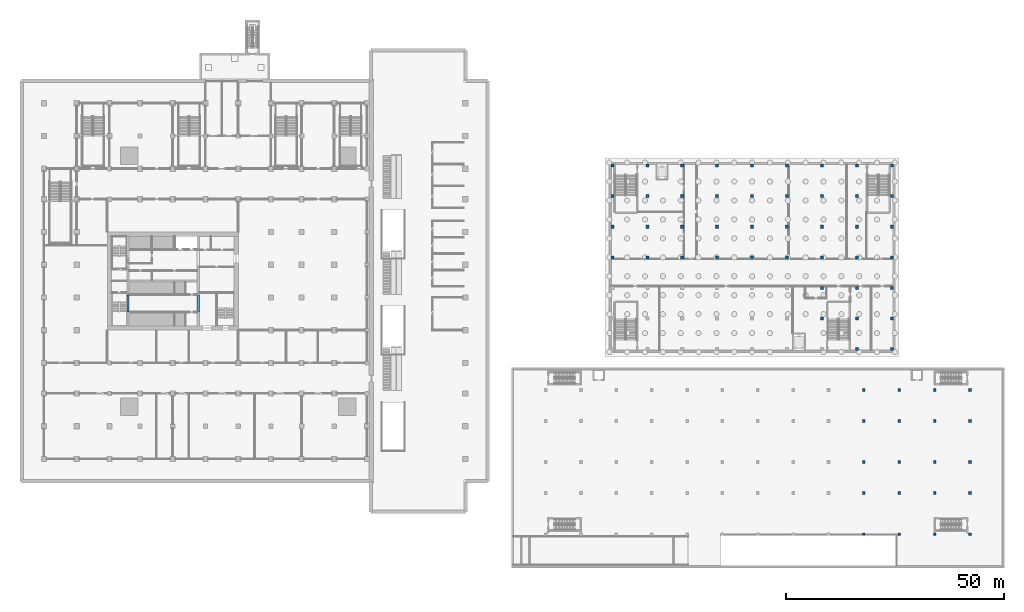
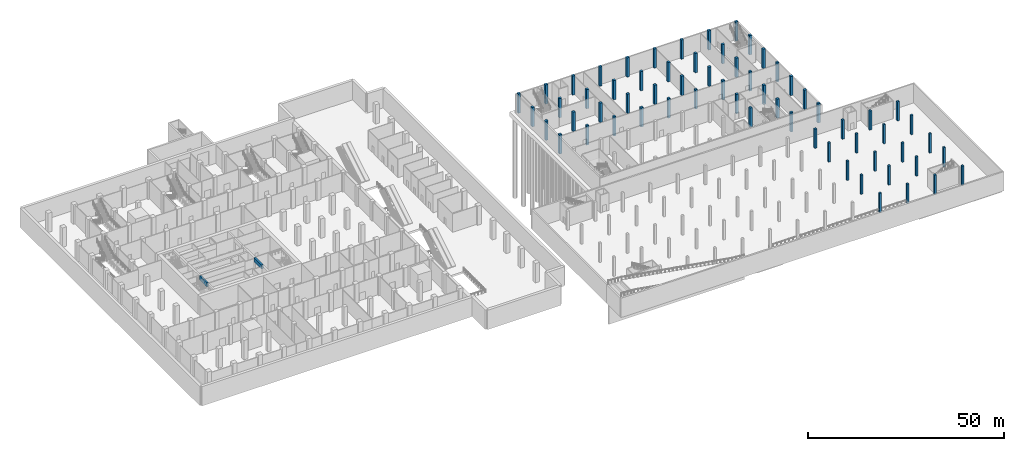
# One storey, part 3 of 45: 64 columns, 2 beams.
"""IFC4 building model written with IfcOpenShell, lengths in metres."""

import ifcopenshell
import ifcopenshell.guid

model = None  # the IFC model being written
_history = None  # IfcOwnerHistory: only IFC2X3 demands one
_inside = {}  # id of a spatial element -> (the spatial element, [elements in it])
_under = {}  # id of a project, library or spatial element -> (it, [spatial elements below it])
_declared = {}  # id of a project -> (the project, [libraries it declares])
_typed = {}  # id of a type object -> (the type object, [elements of that type])
_made_of = {}  # id of a material, layer set ... -> (it, [elements and type objects made of it])


def new_model(schema):
    """Start an empty IFC model of exactly this schema.

    Asked for "IFC4X3", IfcOpenShell would pick the latest addendum, in which some entities
    have other attributes; the version numbers below select the first issue.
    IFC2X3 requires an IfcOwnerHistory on every rooted entity: one is made here for all.
    """
    global model, _history
    if schema == "IFC4X3":
        model = ifcopenshell.file(schema_version=(4, 3, 0, 0))
    else:
        model = ifcopenshell.file(schema=schema)
    _inside.clear()
    _under.clear()
    _declared.clear()
    _typed.clear()
    _made_of.clear()
    _history = None
    if model.schema == "IFC2X3":
        org = make("IfcOrganization", Name="unknown")
        user = make(
            "IfcPersonAndOrganization",
            ThePerson=make("IfcPerson", FamilyName="unknown"),
            TheOrganization=org,
        )
        app = make(
            "IfcApplication",
            ApplicationDeveloper=org,
            Version="unknown",
            ApplicationFullName="unknown",
            ApplicationIdentifier="unknown",
        )
        _history = make(
            "IfcOwnerHistory",
            OwningUser=user,
            OwningApplication=app,
            ChangeAction="ADDED",
            CreationDate=0,
        )
    return model


def make(cls, **values):
    """One entity of the class cls with the attributes given. An attribute that is None is left unset."""
    return model.create_entity(
        cls, **{name: value for name, value in values.items() if value is not None}
    )


def rooted(cls, **values):
    """An entity with a GlobalId (a new one), such as an element, a storey or a relation."""
    return make(cls, GlobalId=ifcopenshell.guid.new(), OwnerHistory=_history, **values)


def si_unit(unit_type, name, prefix=None):
    """IfcSIUnit, for example si_unit("LENGTHUNIT", "METRE", prefix="MILLI")."""
    return make("IfcSIUnit", UnitType=unit_type, Prefix=prefix, Name=name)


def assignment(units):
    """IfcUnitAssignment: the units of a project."""
    return None if units is None else make("IfcUnitAssignment", Units=units)


def point(xyz):
    """IfcCartesianPoint."""
    return None if xyz is None else make("IfcCartesianPoint", Coordinates=xyz)


def direction(xyz):
    """IfcDirection."""
    return None if xyz is None else make("IfcDirection", DirectionRatios=xyz)


def frame(location, z_axis=None, x_axis=None):
    """IfcAxis2Placement3D, a coordinate frame: its origin and axes. An axis left out is left unset."""
    return make(
        "IfcAxis2Placement3D",
        Location=point(location),
        Axis=direction(z_axis),
        RefDirection=direction(x_axis),
    )


def frame_2d(location, x_axis=None):
    """IfcAxis2Placement2D, a coordinate frame in the plane: its origin and x axis."""
    return make(
        "IfcAxis2Placement2D", Location=point(location), RefDirection=direction(x_axis)
    )


def origin():
    """The frame at (0, 0, 0) with its axes left unset."""
    return frame((0.0, 0.0, 0.0))


def origin_2d():
    """The frame at (0, 0) in the plane with its x axis left unset."""
    return frame_2d((0.0, 0.0))


def place(relative_to, where):
    """IfcLocalPlacement: puts the frame where relative to a parent placement (None: the world)."""
    return make(
        "IfcLocalPlacement", PlacementRelTo=relative_to, RelativePlacement=where
    )


def context(
    kind, dimensions, precision=None, world=None, true_north=None, identifier=None
):
    """IfcGeometricRepresentationContext, for example the 3D "Model" context."""
    return make(
        "IfcGeometricRepresentationContext",
        ContextIdentifier=identifier,
        ContextType=kind,
        CoordinateSpaceDimension=dimensions,
        Precision=precision,
        WorldCoordinateSystem=world,
        TrueNorth=true_north,
    )


def subcontext(parent, identifier, kind, view, scale=None):
    """IfcGeometricRepresentationSubContext, for example "Body" below "Model"."""
    return make(
        "IfcGeometricRepresentationSubContext",
        ContextIdentifier=identifier,
        ContextType=kind,
        ParentContext=parent,
        TargetScale=scale,
        TargetView=view,
    )


def project(units=None, contexts=None):
    """IfcProject with its units and contexts."""
    return rooted(
        "IfcProject",
        Name="project",
        RepresentationContexts=contexts,
        UnitsInContext=assignment(units),
    )


def spatial(cls, under=None, at=None, **own):
    """A site, building, storey or space (cls), placed at a placement, below another one or the project."""
    s = rooted(cls, ObjectPlacement=at, **own)
    if under is not None:
        _under.setdefault(under.id(), (under, []))[1].append(s)
    return s


def profile(cls, at=None, kind="AREA", **sizes):
    """A parametric profile (cls). Its sizes go by their IFC names, for example OverallWidth=200.0."""
    return make(cls, ProfileType=kind, Position=at, **sizes)


def rectangle(**sizes):
    """IfcRectangleProfileDef."""
    return profile("IfcRectangleProfileDef", **sizes)


def extrude(swept, where, along, depth):
    """IfcExtrudedAreaSolid: the profile swept, set in the frame where, extruded along a direction by depth."""
    return make(
        "IfcExtrudedAreaSolid",
        SweptArea=swept,
        Position=where,
        ExtrudedDirection=direction(along),
        Depth=depth,
    )


def shape(context_of_items, identifier, shape_type, items):
    """IfcShapeRepresentation: the items that make up one representation, for example the "Body"."""
    return make(
        "IfcShapeRepresentation",
        ContextOfItems=context_of_items,
        RepresentationIdentifier=identifier,
        RepresentationType=shape_type,
        Items=items,
    )


def material(Name=None, Category=None):
    """IfcMaterial."""
    return make("IfcMaterial", Name=Name, Category=Category)


def material_profile(
    of_material, cross_section, Name=None, Category=None, Priority=None
):
    """IfcMaterialProfile: a cross section and its material."""
    return make(
        "IfcMaterialProfile",
        Name=Name,
        Material=of_material,
        Profile=cross_section,
        Priority=Priority,
        Category=Category,
    )


def profile_set(profiles, Name=None, composite=None):
    """IfcMaterialProfileSet."""
    return make(
        "IfcMaterialProfileSet",
        Name=Name,
        MaterialProfiles=profiles,
        CompositeProfile=composite,
    )


def made_of(thing, what):
    """Note that an element or type object is made of a material, layer set ...; save() writes the relation."""
    if what is not None:
        _made_of.setdefault(what.id(), (what, []))[1].append(thing)
    return thing


def type_object(cls, material=None, **own):
    """A type object (cls), such as IfcWallType, which elements share."""
    return made_of(rooted(cls, **own), material)


def element(
    cls,
    number,
    at=None,
    inside=None,
    cuts=None,
    type_object=None,
    material=None,
    context=None,
    identifier="Body",
    shape_type=None,
    held_by="IfcProductDefinitionShape",
    body=None,
    shapes=None,
    **own,
):
    """One element of the class cls, such as IfcWall. Its Tag is "e" and its number.

    at: its placement. inside: the storey or other place that contains it. cuts: it is an
    opening in that element (IfcRelVoidsElement). A single representation is given by context,
    identifier, shape_type and body (its items); several are given by shapes. held_by: the class
    of the entity that holds the representations. save() writes the other relations.
    """
    e = rooted(cls, Tag="e%d" % number, ObjectPlacement=at, **own)
    if body is not None:
        shapes = [shape(context, identifier, shape_type, body)]
    if shapes is not None:
        e.Representation = make(held_by, Representations=shapes)
    if inside is not None:
        _inside.setdefault(inside.id(), (inside, []))[1].append(e)
    if cuts is not None:
        rooted(
            "IfcRelVoidsElement", RelatingBuildingElement=cuts, RelatedOpeningElement=e
        )
    if type_object is not None:
        _typed.setdefault(type_object.id(), (type_object, []))[1].append(e)
    return made_of(e, material)


def aggregate(whole, parts):
    """IfcRelAggregates: a whole, such as a stair, and the parts it consists of."""
    return rooted("IfcRelAggregates", RelatingObject=whole, RelatedObjects=parts)


def save(model, path):
    """Write the relations noted so far, then the file.

    IfcRelAggregates (storeys below a building ...), IfcRelContainedInSpatialStructure (elements
    in a storey), IfcRelDefinesByType, IfcRelAssociatesMaterial and IfcRelDeclares: one each for
    every whole, place, type object, material and project.
    """
    for whole, parts in _under.values():
        aggregate(whole, parts)
    for where, things in _inside.values():
        rooted(
            "IfcRelContainedInSpatialStructure",
            RelatedElements=things,
            RelatingStructure=where,
        )
    for kind, things in _typed.values():
        rooted("IfcRelDefinesByType", RelatedObjects=things, RelatingType=kind)
    for what, things in _made_of.values():
        rooted("IfcRelAssociatesMaterial", RelatedObjects=things, RelatingMaterial=what)
    for by, libraries in _declared.values():
        rooted("IfcRelDeclares", RelatingContext=by, RelatedDefinitions=libraries)
    model.write(path)


model = new_model("IFC4")

# Units and contexts
model_context = context("Model", 3, precision=1e-05, world=origin(), true_north=direction((0.0, 1.0)))
body_context = subcontext(model_context, "Body", "Model", "MODEL_VIEW")
ifc_project = project(units=[si_unit("LENGTHUNIT", "METRE"), si_unit("AREAUNIT", "SQUARE_METRE"), si_unit("VOLUMEUNIT", "CUBIC_METRE"), si_unit("PLANEANGLEUNIT", "RADIAN"), si_unit("MASSUNIT", "GRAM", prefix="KILO")], contexts=[model_context])

# Site, building, storey
site_placement = place(None, origin())
site = spatial("IfcSite", under=ifc_project, at=site_placement, CompositionType="ELEMENT")
building_placement = place(site_placement, origin())
building = spatial("IfcBuilding", under=site, at=building_placement, Name="Tamorin Gate", CompositionType="ELEMENT")
storey_placement = place(building_placement, frame((0.0, 0.0, -6.0)))
storey = spatial("IfcBuildingStorey", under=building, at=storey_placement, Name="B1", CompositionType="ELEMENT", Elevation=-6.0)

# Columns
ifc_material_1 = material(Name="Concrete C50/60", Category="concrete")
ifc_material_profile_1 = material_profile(ifc_material_1, rectangle(XDim=0.60009765625, YDim=0.60009765625, at=origin_2d()))
ifc_profile_set_1 = profile_set([ifc_material_profile_1], Name="Concrete C50/60")
column_type_1 = type_object("IfcColumnType", Name="RC column 600x600 C50/60", PredefinedType="COLUMN", material=ifc_profile_set_1)
for number, where, z_axis, x_axis, name in (
    (1, (203.300048828125, 13.300048828125, 0.0), (0.0, 0.0, 1.0), (1.0, 0.0, 0.0), "Car park column B1"),
    (2, (203.300048828125, 22.699951171875, 0.0), (0.0, 0.0, 1.0), (1.0, 0.0, 0.0), "Car park column B1"),
    (3, (203.300048828125, 29.800048828125, 0.0), (0.0, 0.0, 1.0), (1.0, 0.0, 0.0), "Car park column B1"),
    (4, (203.300048828125, 39.199951171875, 0.0), (0.0, 0.0, 1.0), (1.0, 0.0, 0.0), "Car park column B1"),
    (5, (203.300048828125, 46.300048828125, 0.0), (0.0, 0.0, 1.0), (1.0, 0.0, 0.0), "Car park column B1"),
    (6, (211.39990234375, 13.300048828125, 0.0), (0.0, 0.0, 1.0), (1.0, 0.0, 0.0), "Car park column B1"),
    (7, (211.39990234375, 22.699951171875, 0.0), (0.0, 0.0, 1.0), (1.0, 0.0, 0.0), "Car park column B1"),
    (8, (211.39990234375, 29.800048828125, 0.0), (0.0, 0.0, 1.0), (1.0, 0.0, 0.0), "Car park column B1"),
    (9, (211.39990234375, 39.199951171875, 0.0), (0.0, 0.0, 1.0), (1.0, 0.0, 0.0), "Car park column B1"),
    (10, (211.39990234375, 46.300048828125, 0.0), (0.0, 0.0, 1.0), (1.0, 0.0, 0.0), "Car park column B1"),
    (11, (219.5, 13.300048828125, 0.0), (0.0, 0.0, 1.0), (1.0, 0.0, 0.0), "Car park column B1"),
    (12, (219.5, 22.699951171875, 0.0), (0.0, 0.0, 1.0), (1.0, 0.0, 0.0), "Car park column B1"),
    (13, (219.5, 29.800048828125, 0.0), (0.0, 0.0, 1.0), (1.0, 0.0, 0.0), "Car park column B1"),
    (14, (219.5, 39.199951171875, 0.0), (0.0, 0.0, 1.0), (1.0, 0.0, 0.0), "Car park column B1"),
    (15, (219.5, 46.300048828125, 0.0), (0.0, 0.0, 1.0), (1.0, 0.0, 0.0), "Car park column B1"),
    (16, (227.60009765625, 13.300048828125, 0.0), (0.0, 0.0, 1.0), (1.0, 0.0, 0.0), "Car park column B1"),
    (17, (227.60009765625, 22.699951171875, 0.0), (0.0, 0.0, 1.0), (1.0, 0.0, 0.0), "Car park column B1"),
    (18, (227.60009765625, 29.800048828125, 0.0), (0.0, 0.0, 1.0), (1.0, 0.0, 0.0), "Car park column B1"),
    (19, (227.60009765625, 39.199951171875, 0.0), (0.0, 0.0, 1.0), (1.0, 0.0, 0.0), "Car park column B1"),
    (20, (227.60009765625, 46.300048828125, 0.0), (0.0, 0.0, 1.0), (1.0, 0.0, 0.0), "Car park column B1"),
):
    element("IfcColumn", number, at=place(storey_placement, frame(where, z_axis=z_axis, x_axis=x_axis)), inside=storey, type_object=column_type_1, Name=name, PredefinedType="COLUMN", context=body_context, shape_type="SweptSolid", body=[
        extrude(rectangle(XDim=0.60009765625, YDim=0.60009765625, at=origin_2d()), origin(), (0.0, 0.0, 1.0), 6.0),
    ])
ifc_material_profile_2 = material_profile(ifc_material_1, rectangle(XDim=0.699951171875, YDim=0.699951171875, at=origin_2d()), Name="RC 700x700")
ifc_profile_set_2 = profile_set([ifc_material_profile_2], Name="Concrete C50/60")
column_type_2 = type_object("IfcColumnType", Name="RC column 700x700 C50/60", PredefinedType="COLUMN", material=ifc_profile_set_2)
for number, where, z_axis, x_axis, name in (
    (21, (145.699951171875, 76.699951171875, 0.0), (0.0, 0.0, 1.0), (1.0, 0.0, 0.0), "Museum column B1"),
    (22, (145.699951171875, 83.699951171875, 0.0), (0.0, 0.0, 1.0), (1.0, 0.0, 0.0), "Museum column B1"),
    (23, (145.699951171875, 90.699951171875, 0.0), (0.0, 0.0, 1.0), (1.0, 0.0, 0.0), "Museum column B1"),
    (24, (145.699951171875, 97.699951171875, 0.0), (0.0, 0.0, 1.0), (1.0, 0.0, 0.0), "Museum column B1"),
    (25, (153.699951171875, 76.699951171875, 0.0), (0.0, 0.0, 1.0), (1.0, 0.0, 0.0), "Museum column B1"),
    (26, (153.699951171875, 83.699951171875, 0.0), (0.0, 0.0, 1.0), (1.0, 0.0, 0.0), "Museum column B1"),
    (27, (153.699951171875, 90.699951171875, 0.0), (0.0, 0.0, 1.0), (1.0, 0.0, 0.0), "Museum column B1"),
    (28, (153.699951171875, 97.699951171875, 0.0), (0.0, 0.0, 1.0), (1.0, 0.0, 0.0), "Museum column B1"),
    (29, (161.699951171875, 76.699951171875, 0.0), (0.0, 0.0, 1.0), (1.0, 0.0, 0.0), "Museum column B1"),
    (30, (161.699951171875, 83.699951171875, 0.0), (0.0, 0.0, 1.0), (1.0, 0.0, 0.0), "Museum column B1"),
    (31, (161.699951171875, 90.699951171875, 0.0), (0.0, 0.0, 1.0), (1.0, 0.0, 0.0), "Museum column B1"),
    (32, (161.699951171875, 97.699951171875, 0.0), (0.0, 0.0, 1.0), (1.0, 0.0, 0.0), "Museum column B1"),
    (33, (169.699951171875, 76.699951171875, 0.0), (0.0, 0.0, 1.0), (1.0, 0.0, 0.0), "Museum column B1"),
    (34, (169.699951171875, 83.699951171875, 0.0), (0.0, 0.0, 1.0), (1.0, 0.0, 0.0), "Museum column B1"),
    (35, (169.699951171875, 90.699951171875, 0.0), (0.0, 0.0, 1.0), (1.0, 0.0, 0.0), "Museum column B1"),
    (36, (169.699951171875, 97.699951171875, 0.0), (0.0, 0.0, 1.0), (1.0, 0.0, 0.0), "Museum column B1"),
    (37, (177.699951171875, 76.699951171875, 0.0), (0.0, 0.0, 1.0), (1.0, 0.0, 0.0), "Museum column B1"),
    (38, (177.699951171875, 83.699951171875, 0.0), (0.0, 0.0, 1.0), (1.0, 0.0, 0.0), "Museum column B1"),
    (39, (177.699951171875, 90.699951171875, 0.0), (0.0, 0.0, 1.0), (1.0, 0.0, 0.0), "Museum column B1"),
    (40, (177.699951171875, 97.699951171875, 0.0), (0.0, 0.0, 1.0), (1.0, 0.0, 0.0), "Museum column B1"),
    (41, (185.699951171875, 76.699951171875, 0.0), (0.0, 0.0, 1.0), (1.0, 0.0, 0.0), "Museum column B1"),
    (42, (185.699951171875, 83.699951171875, 0.0), (0.0, 0.0, 1.0), (1.0, 0.0, 0.0), "Museum column B1"),
    (43, (185.699951171875, 90.699951171875, 0.0), (0.0, 0.0, 1.0), (1.0, 0.0, 0.0), "Museum column B1"),
    (44, (185.699951171875, 97.699951171875, 0.0), (0.0, 0.0, 1.0), (1.0, 0.0, 0.0), "Museum column B1"),
    (45, (193.699951171875, 62.699951171875, 0.0), (0.0, 0.0, 1.0), (1.0, 0.0, 0.0), "Museum column B1"),
    (46, (193.699951171875, 69.699951171875, 0.0), (0.0, 0.0, 1.0), (1.0, 0.0, 0.0), "Museum column B1"),
    (47, (193.699951171875, 76.699951171875, 0.0), (0.0, 0.0, 1.0), (1.0, 0.0, 0.0), "Museum column B1"),
    (48, (193.699951171875, 83.699951171875, 0.0), (0.0, 0.0, 1.0), (1.0, 0.0, 0.0), "Museum column B1"),
    (49, (193.699951171875, 90.699951171875, 0.0), (0.0, 0.0, 1.0), (1.0, 0.0, 0.0), "Museum column B1"),
    (50, (193.699951171875, 97.699951171875, 0.0), (0.0, 0.0, 1.0), (1.0, 0.0, 0.0), "Museum column B1"),
    (51, (201.699951171875, 55.699951171875, 0.0), (0.0, 0.0, 1.0), (1.0, 0.0, 0.0), "Museum column B1"),
    (52, (201.699951171875, 62.699951171875, 0.0), (0.0, 0.0, 1.0), (1.0, 0.0, 0.0), "Museum column B1"),
    (53, (201.699951171875, 69.699951171875, 0.0), (0.0, 0.0, 1.0), (1.0, 0.0, 0.0), "Museum column B1"),
    (54, (201.699951171875, 76.699951171875, 0.0), (0.0, 0.0, 1.0), (1.0, 0.0, 0.0), "Museum column B1"),
    (55, (201.699951171875, 83.699951171875, 0.0), (0.0, 0.0, 1.0), (1.0, 0.0, 0.0), "Museum column B1"),
    (56, (201.699951171875, 90.699951171875, 0.0), (0.0, 0.0, 1.0), (1.0, 0.0, 0.0), "Museum column B1"),
    (57, (201.699951171875, 97.699951171875, 0.0), (0.0, 0.0, 1.0), (1.0, 0.0, 0.0), "Museum column B1"),
    (58, (209.699951171875, 55.699951171875, 0.0), (0.0, 0.0, 1.0), (1.0, 0.0, 0.0), "Museum column B1"),
    (59, (209.699951171875, 62.699951171875, 0.0), (0.0, 0.0, 1.0), (1.0, 0.0, 0.0), "Museum column B1"),
    (60, (209.699951171875, 69.699951171875, 0.0), (0.0, 0.0, 1.0), (1.0, 0.0, 0.0), "Museum column B1"),
    (61, (209.699951171875, 76.699951171875, 0.0), (0.0, 0.0, 1.0), (1.0, 0.0, 0.0), "Museum column B1"),
    (62, (209.699951171875, 83.699951171875, 0.0), (0.0, 0.0, 1.0), (1.0, 0.0, 0.0), "Museum column B1"),
    (63, (209.699951171875, 90.699951171875, 0.0), (0.0, 0.0, 1.0), (1.0, 0.0, 0.0), "Museum column B1"),
    (64, (209.699951171875, 97.699951171875, 0.0), (0.0, 0.0, 1.0), (1.0, 0.0, 0.0), "Museum column B1"),
):
    element("IfcColumn", number, at=place(storey_placement, frame(where, z_axis=z_axis, x_axis=x_axis)), inside=storey, type_object=column_type_2, Name=name, PredefinedType="COLUMN", context=body_context, shape_type="SweptSolid", body=[
        extrude(rectangle(XDim=0.699951171875, YDim=0.699951171875, at=origin_2d()), origin(), (0.0, 0.0, 1.0), 6.0),
    ])

# Beams
ifc_material_2 = material(Name="Concrete C80/95", Category="concrete")
ifc_material_profile_3 = material_profile(ifc_material_2, rectangle(XDim=0.5, YDim=1.199951171875, at=origin_2d()), Name="RC 500x1200")
ifc_profile_set_3 = profile_set([ifc_material_profile_3], Name="Concrete C80/95")
beam_type = type_object("IfcBeamType", Name="RC coupling beam 500x1200 C80/95", PredefinedType="BEAM", material=ifc_profile_set_3)
for number, where, z_axis, x_axis, name in (
    (65, (34.75, 64.199951171875, 5.39990234375), (0.0, 1.0, 0.0), (-1.0, 0.0, 0.0), "Coupling beam B1"),
    (66, (50.85009765625, 64.199951171875, 5.39990234375), (0.0, 1.0, 0.0), (-1.0, 0.0, 0.0), "Coupling beam B1"),
):
    element("IfcBeam", number, at=place(storey_placement, frame(where, z_axis=z_axis, x_axis=x_axis)), inside=storey, type_object=beam_type, Name=name, PredefinedType="BEAM", context=body_context, shape_type="SweptSolid", body=[
        extrude(rectangle(XDim=0.5, YDim=1.199951171875, at=origin_2d()), origin(), (0.0, 0.0, 1.0), 3.85009765625),
    ])

save(model, "model.ifc")
